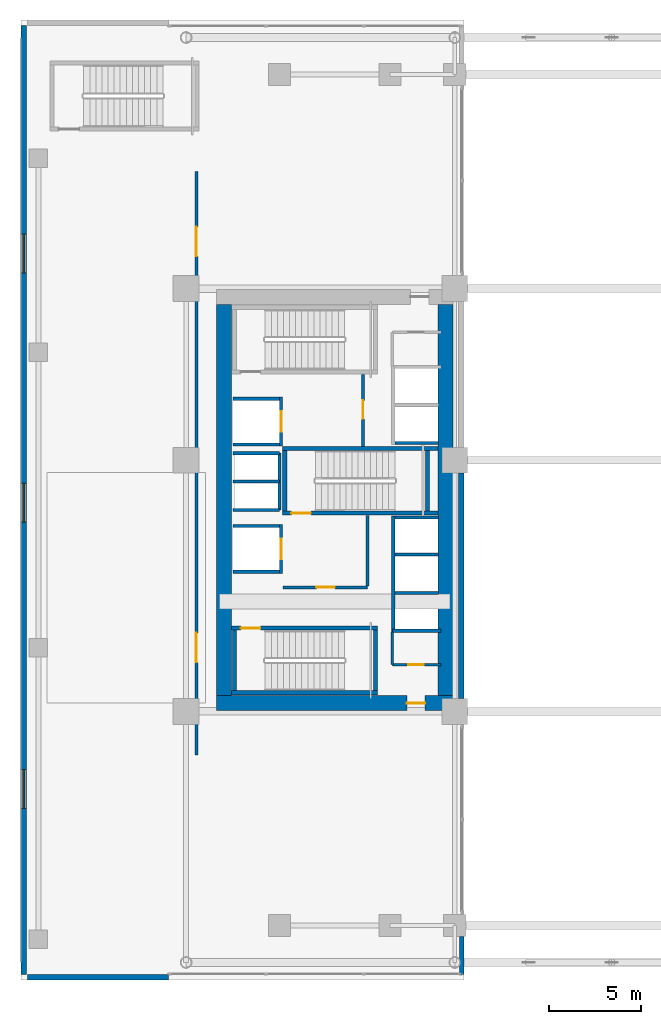
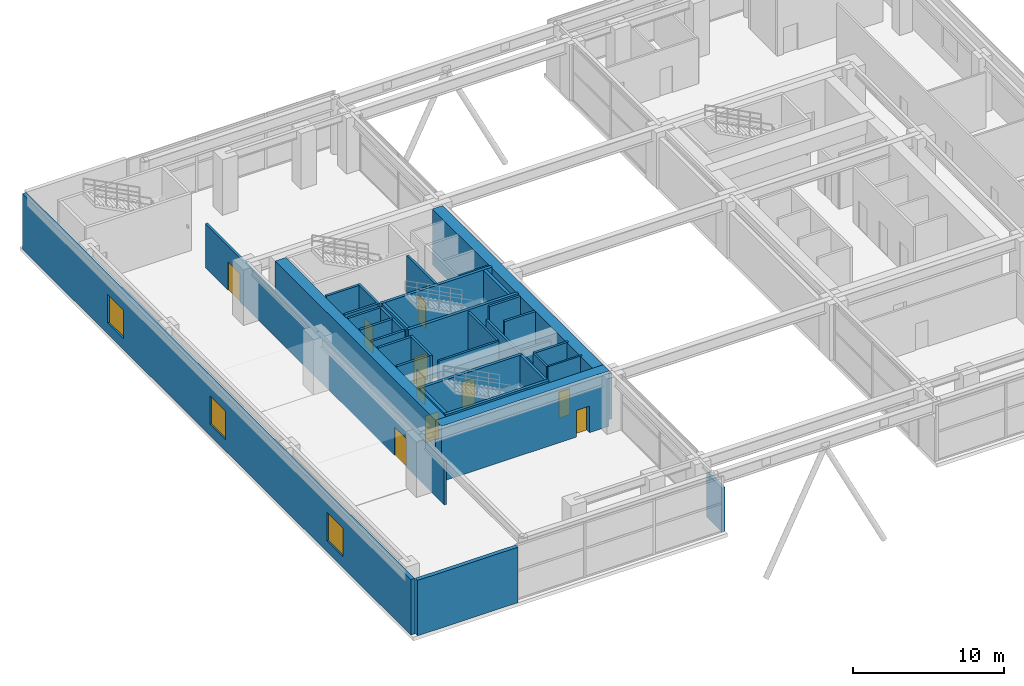
# One storey, part 22 of 30: 37 walls, 10 doors, 3 windows, 13 openings.
"""IFC4 building model written with IfcOpenShell, lengths in metres."""

from ifc_helpers import new_model, si_unit, direction, frame, frame_2d, origin, place, context, subcontext, project, spatial, rectangle, extrude, source, transform, mapped, material, layer, layer_set, type_object, element, fill, save


model = new_model("IFC4")

# Units and contexts
model_context = context("Model", 3, precision=1e-05, world=origin(), true_north=direction((0.0, 1.0)))
body_context = subcontext(model_context, "Body", "Model", "MODEL_VIEW")
ifc_project = project(units=[si_unit("LENGTHUNIT", "METRE"), si_unit("AREAUNIT", "SQUARE_METRE"), si_unit("VOLUMEUNIT", "CUBIC_METRE"), si_unit("PLANEANGLEUNIT", "RADIAN"), si_unit("MASSUNIT", "GRAM", prefix="KILO")], contexts=[model_context])

# Site, building, storey
site_placement = place(None, origin())
site = spatial("IfcSite", under=ifc_project, at=site_placement, CompositionType="ELEMENT")
building_placement = place(site_placement, origin())
building = spatial("IfcBuilding", under=site, at=building_placement, Name="Ocotamira Hotel", CompositionType="ELEMENT")
storey_placement = place(building_placement, frame((0.0, 0.0, 19.199951171875)))
storey = spatial("IfcBuildingStorey", under=building, at=storey_placement, Name="L04", CompositionType="ELEMENT", Elevation=19.199951171875)

# Wall, opening, door
ifc_material_1 = material(Name="Concrete C60/75", Category="concrete")
ifc_layer_1 = layer(ifc_material_1, 0.800048828125)
ifc_layer_set_1 = layer_set([ifc_layer_1], Name="Concrete C60/75")
wall_type_1 = type_object("IfcWallType", Name="WL-CORE-800", PredefinedType="SHEAR", material=ifc_layer_set_1)
wall_1_placement = place(storey_placement, frame((10.60009765625, 15.0, 0.0), z_axis=(0.0, 0.0, 1.0), x_axis=(1.0, 0.0, 0.0)))
wall_1 = element("IfcWall", 1, at=wall_1_placement, inside=storey, type_object=wall_type_1, Name="L04 Shear Core Wall WCORE-S", PredefinedType="SHEAR", context=body_context, shape_type="SweptSolid", body=[
    extrude(rectangle(XDim=12.7998046875, YDim=0.800048828125, at=frame_2d((6.39990234375, 0.0))), origin(), (0.0, 0.0, 1.0), 4.47998046875),
])
opening_1_placement = place(wall_1_placement, frame((10.300048828125, 0.0, 0.0)))
opening_1 = element("IfcOpeningElement", 2, at=opening_1_placement, cuts=wall_1, Name="Opening D-FR2", PredefinedType="OPENING", context=body_context, shape_type="SweptSolid", body=[
    extrude(rectangle(XDim=1.0, YDim=2.14990234375, at=frame_2d((0.5, 1.074951171875))), frame((0.0, 0.41015625, 0.0), z_axis=(0.0, -1.0, 0.0), x_axis=(1.0, 0.0, 0.0)), (0.0, 0.0, 1.0), 0.820068359375),
])
ifc_material_2 = material(Name="Fire-rated acoustic timber-veneer door", Category="wood")
door_type_1 = type_object("IfcDoorType", Name="DR-FIRE-1000", OperationType="NOTDEFINED", PredefinedType="DOOR", material=ifc_material_2)
shared_shape_1 = source(origin(), body_context, "Body", "SweptSolid", [
    extrude(rectangle(XDim=1.0, YDim=2.14990234375, at=frame_2d((0.5, 1.074951171875))), frame((0.0, 0.02490234375, 0.0), z_axis=(0.0, -1.0, 0.0), x_axis=(1.0, 0.0, 0.0)), (0.0, 0.0, 1.0), 0.050048828125),
])
door_1_placement = place(opening_1_placement, origin())
door_1 = element("IfcDoor", 3, at=door_1_placement, inside=storey, type_object=door_type_1, Name="L04 Door ID-L04-WLOB-S-D [ID-L04-WLOB-S-D]", OperationType="SINGLE_SWING_LEFT", OverallHeight=2.14990234375, OverallWidth=1.0, PredefinedType="DOOR", context=body_context, shape_type="MappedRepresentation", body=[
    mapped(shared_shape_1, transform((0.0, 0.0, 0.0), scale=1.0)),
])
fill(opening_1, door_1)

# Walls
for number, where, z_axis, x_axis, name in (
    (4, (11.0, 15.39990234375, 0.0), (0.0, 0.0, 1.0), (0.0, 1.0, 0.0), "L04 Shear Core Wall WCORE-W"),
    (5, (23.0, 15.39990234375, 0.0), (0.0, 0.0, 1.0), (0.0, 1.0, 0.0), "L04 Shear Core Wall WCORE-E"),
):
    element("IfcWall", number, at=place(storey_placement, frame(where, z_axis=z_axis, x_axis=x_axis)), inside=storey, type_object=wall_type_1, Name=name, PredefinedType="SHEAR", context=body_context, shape_type="SweptSolid", body=[
        extrude(rectangle(XDim=21.2001953125, YDim=0.800048828125, at=frame_2d((10.60009765625, 0.0))), origin(), (0.0, 0.0, 1.0), 4.47998046875),
    ])

# Wall, openings, windows
ifc_material_3 = material(Name="Travertine-clad precast concrete C45/55", Category="masonry")
ifc_layer_2 = layer(ifc_material_3, 0.300048828125)
ifc_layer_set_2 = layer_set([ifc_layer_2], Name="Travertine-clad precast concrete C45/55")
wall_type_2 = type_object("IfcWallType", Name="WL-EXT-POD-300", PredefinedType="SOLIDWALL", material=ifc_layer_set_2)
wall_2_placement = place(storey_placement, frame((0.14990234375, 0.300048828125, 0.0), z_axis=(0.0, 0.0, 1.0), x_axis=(0.0, 1.0, 0.0)))
wall_2 = element("IfcWall", 6, at=wall_2_placement, inside=storey, type_object=wall_type_2, Name="L04 West Podium Travertine Wall", PredefinedType="SOLIDWALL", context=body_context, shape_type="SweptSolid", body=[
    extrude(rectangle(XDim=51.39990234375, YDim=0.300048828125, at=frame_2d((25.699951171875, 0.0))), origin(), (0.0, 0.0, 1.0), 4.47998046875),
])
opening_2_placement = place(wall_2_placement, frame((9.0, 0.0, 0.89990234375)))
opening_2 = element("IfcOpeningElement", 7, at=opening_2_placement, cuts=wall_2, Name="Opening WN-5", PredefinedType="OPENING", context=body_context, shape_type="SweptSolid", body=[
    extrude(rectangle(XDim=2.10009765625, YDim=2.300048828125, at=frame_2d((1.050048828125, 1.14990234375))), frame((0.0, 0.16015625, 0.0), z_axis=(0.0, -1.0, 0.0), x_axis=(1.0, 0.0, 0.0)), (0.0, 0.0, 1.0), 0.320068359375),
])
opening_3_placement = place(wall_2_placement, frame((24.5, 0.0, 0.89990234375)))
opening_3 = element("IfcOpeningElement", 8, at=opening_3_placement, cuts=wall_2, Name="Opening WN-5", PredefinedType="OPENING", context=body_context, shape_type="SweptSolid", body=[
    extrude(rectangle(XDim=2.10009765625, YDim=2.300048828125, at=frame_2d((1.050048828125, 1.14990234375))), frame((0.0, 0.16015625, 0.0), z_axis=(0.0, -1.0, 0.0), x_axis=(1.0, 0.0, 0.0)), (0.0, 0.0, 1.0), 0.320068359375),
])
opening_4_placement = place(wall_2_placement, frame((38.0, 0.0, 0.89990234375)))
opening_4 = element("IfcOpeningElement", 9, at=opening_4_placement, cuts=wall_2, Name="Opening WN-5", PredefinedType="OPENING", context=body_context, shape_type="SweptSolid", body=[
    extrude(rectangle(XDim=2.10009765625, YDim=2.300048828125, at=frame_2d((1.050048828125, 1.14990234375))), frame((0.0, 0.16015625, 0.0), z_axis=(0.0, -1.0, 0.0), x_axis=(1.0, 0.0, 0.0)), (0.0, 0.0, 1.0), 0.320068359375),
])
ifc_material_4 = material(Name="Double-silver low-E solar glass", Category="glass")
window_type = type_object("IfcWindowType", Name="WIN-POD-2100", PartitioningType="SINGLE_PANEL", PredefinedType="WINDOW", material=ifc_material_4)
shared_shape_2 = source(origin(), body_context, "Body", "SweptSolid", [
    extrude(rectangle(XDim=2.10009765625, YDim=2.300048828125, at=frame_2d((1.050048828125, 1.14990234375))), frame((0.0, 0.030029296875, 0.0), z_axis=(0.0, -1.0, 0.0), x_axis=(1.0, 0.0, 0.0)), (0.0, 0.0, 1.0), 0.06005859375),
])
window_1_placement = place(opening_2_placement, origin())
window_1 = element("IfcWindow", 10, at=window_1_placement, inside=storey, type_object=window_type, Name="L04 West Podium Window 1", OverallHeight=2.300048828125, OverallWidth=2.10009765625, PartitioningType="SINGLE_PANEL", PredefinedType="WINDOW", context=body_context, shape_type="MappedRepresentation", body=[
    mapped(shared_shape_2, transform((0.0, 0.0, 0.0), scale=1.0)),
])
fill(opening_2, window_1)
window_2_placement = place(opening_3_placement, origin())
window_2 = element("IfcWindow", 11, at=window_2_placement, inside=storey, type_object=window_type, Name="L04 West Podium Window 2", OverallHeight=2.300048828125, OverallWidth=2.10009765625, PartitioningType="SINGLE_PANEL", PredefinedType="WINDOW", context=body_context, shape_type="MappedRepresentation", body=[
    mapped(shared_shape_2, transform((0.0, 0.0, 0.0), scale=1.0)),
])
fill(opening_3, window_2)
window_3_placement = place(opening_4_placement, origin())
window_3 = element("IfcWindow", 12, at=window_3_placement, inside=storey, type_object=window_type, Name="L04 West Podium Window 3", OverallHeight=2.300048828125, OverallWidth=2.10009765625, PartitioningType="SINGLE_PANEL", PredefinedType="WINDOW", context=body_context, shape_type="MappedRepresentation", body=[
    mapped(shared_shape_2, transform((0.0, 0.0, 0.0), scale=1.0)),
])
fill(opening_4, window_3)

# Walls
wall_3_placement = place(storey_placement, frame((8.0, 0.14990234375, 0.0), z_axis=(0.0, 0.0, 1.0), x_axis=(-1.0, 0.0, 0.0)))
element("IfcWall", 13, at=wall_3_placement, inside=storey, type_object=wall_type_2, Name="L04 S-West Podium Wall", PredefinedType="SOLIDWALL", context=body_context, shape_type="SweptSolid", body=[
    extrude(rectangle(XDim=7.64990234375, YDim=0.300048828125, at=frame_2d((3.824951171875, 0.0))), origin(), (0.0, 0.0, 1.0), 4.47998046875),
])
wall_4_placement = place(storey_placement, frame((23.8798828125, 0.300048828125, 0.0), z_axis=(0.0, 0.0, 1.0), x_axis=(0.0, 1.0, 0.0)))
element("IfcWall", 14, at=wall_4_placement, inside=storey, type_object=wall_type_2, Name="L04 Giant Arch South Corner Cheek Wall AW", PredefinedType="SOLIDWALL", context=body_context, shape_type="SweptSolid", body=[
    extrude(rectangle(XDim=2.050048828125, YDim=0.239990234375, at=frame_2d((1.02490234375, 0.0))), origin(), (0.0, 0.0, 1.0), 3.531982421875),
])
wall_5_placement = place(storey_placement, frame((23.85009765625, 15.25, 0.0), z_axis=(0.0, 0.0, 1.0), x_axis=(0.0, 1.0, 0.0)))
element("IfcWall", 15, at=wall_5_placement, inside=storey, type_object=wall_type_2, Name="L04 Giant Arch Core Cheek Wall AW-1", PredefinedType="SOLIDWALL", context=body_context, shape_type="SweptSolid", body=[
    extrude(rectangle(XDim=12.199951171875, YDim=0.300048828125, at=frame_2d((6.10009765625, 0.0))), origin(), (0.0, 0.0, 1.0), 3.700927734375),
])

# Wall, opening, door
ifc_material_5 = material(Name="Acoustic double-layer fire gypsum board partition", Category="gypsum")
ifc_layer_3 = layer(ifc_material_5, 0.159912109375)
ifc_layer_set_3 = layer_set([ifc_layer_3], Name="Acoustic double-layer fire gypsum board partition")
wall_type_3 = type_object("IfcWallType", Name="WL-FIRE-160", PredefinedType="PARTITIONING", material=ifc_layer_set_3)
wall_6_placement = place(storey_placement, frame((14.199951171875, 21.27001953125, 0.0), z_axis=(0.0, 0.0, 1.0), x_axis=(1.0, 0.0, 0.0)))
wall_6 = element("IfcWall", 16, at=wall_6_placement, inside=storey, type_object=wall_type_3, Name="L04 Interior Wall PW-L04-FSAE1-S", PredefinedType="PARTITIONING", context=body_context, shape_type="SweptSolid", body=[
    extrude(rectangle(XDim=4.580078125, YDim=0.159912109375, at=frame_2d((2.2900390625, 0.0))), origin(), (0.0, 0.0, 1.0), 4.47998046875),
])
opening_5_placement = place(wall_6_placement, frame((1.800048828125, 0.0, 0.0)))
opening_5 = element("IfcOpeningElement", 17, at=opening_5_placement, cuts=wall_6, Name="Opening D-FR2", PredefinedType="OPENING", context=body_context, shape_type="SweptSolid", body=[
    extrude(rectangle(XDim=1.0, YDim=2.14990234375, at=frame_2d((0.5, 1.074951171875))), frame((0.0, 0.08984375, 0.0), z_axis=(0.0, -1.0, 0.0), x_axis=(1.0, 0.0, 0.0)), (0.0, 0.0, 1.0), 0.179931640625),
])
door_2_placement = place(opening_5_placement, origin())
door_2 = element("IfcDoor", 18, at=door_2_placement, inside=storey, type_object=door_type_1, Name="L04 Door ID-L04-FSAE1-D [ID-L04-FSAE1-D]", OperationType="SINGLE_SWING_LEFT", OverallHeight=2.14990234375, OverallWidth=1.0, PredefinedType="DOOR", context=body_context, shape_type="MappedRepresentation", body=[
    mapped(shared_shape_1, transform((0.0, 0.0, 0.0), scale=1.0)),
])
fill(opening_5, door_2)

# Wall
wall_7_placement = place(storey_placement, frame((18.780029296875, 21.35009765625, 0.0), z_axis=(0.0, 0.0, 1.0), x_axis=(0.0, 1.0, 0.0)))
element("IfcWall", 19, at=wall_7_placement, inside=storey, type_object=wall_type_3, Name="L04 Interior Wall PW-L04-FSAE1-E", PredefinedType="PARTITIONING", context=body_context, shape_type="SweptSolid", body=[
    extrude(rectangle(XDim=3.809814453125, YDim=0.159912109375, at=frame_2d((1.90478515625, 0.0))), origin(), (0.0, 0.0, 1.0), 4.47998046875),
])

# Wall, opening, door
wall_8_placement = place(storey_placement, frame((18.530029296875, 28.89990234375, 0.0), z_axis=(0.0, 0.0, 1.0), x_axis=(0.0, 1.0, 0.0)))
wall_8 = element("IfcWall", 20, at=wall_8_placement, inside=storey, type_object=wall_type_3, Name="L04 Interior Wall PW-L04-FSAE2-E", PredefinedType="PARTITIONING", context=body_context, shape_type="SweptSolid", body=[
    extrude(rectangle(XDim=3.900146484375, YDim=0.159912109375, at=frame_2d((1.9501953125, 0.0))), origin(), (0.0, 0.0, 1.0), 4.47998046875),
])
opening_6_placement = place(wall_8_placement, frame((1.5, 0.0, 0.0)))
opening_6 = element("IfcOpeningElement", 21, at=opening_6_placement, cuts=wall_8, Name="Opening D-FR2", PredefinedType="OPENING", context=body_context, shape_type="SweptSolid", body=[
    extrude(rectangle(XDim=1.0, YDim=2.14990234375, at=frame_2d((0.5, 1.074951171875))), frame((0.0, 0.08984375, 0.0), z_axis=(0.0, -1.0, 0.0), x_axis=(1.0, 0.0, 0.0)), (0.0, 0.0, 1.0), 0.179931640625),
])
door_3_placement = place(opening_6_placement, origin())
door_3 = element("IfcDoor", 22, at=door_3_placement, inside=storey, type_object=door_type_1, Name="L04 Door ID-L04-FSAE2-D [ID-L04-FSAE2-D]", OperationType="SINGLE_SWING_RIGHT", OverallHeight=2.14990234375, OverallWidth=1.0, PredefinedType="DOOR", context=body_context, shape_type="MappedRepresentation", body=[
    mapped(shared_shape_1, transform((0.0, 0.0, 0.0), scale=1.0)),
])
fill(opening_6, door_3)

# Wall, openings, doors
wall_9_placement = place(storey_placement, frame((9.5, 12.199951171875, 0.0), z_axis=(0.0, 0.0, 1.0), x_axis=(0.0, 1.0, 0.0)))
wall_9 = element("IfcWall", 23, at=wall_9_placement, inside=storey, type_object=wall_type_3, Name="L04 Interior Wall PW-L04-L04-BALL-E", PredefinedType="PARTITIONING", context=body_context, shape_type="SweptSolid", body=[
    extrude(rectangle(XDim=31.60009765625, YDim=0.159912109375, at=frame_2d((15.800048828125, 0.0))), origin(), (0.0, 0.0, 1.0), 3.552978515625),
])
opening_7_placement = place(wall_9_placement, frame((5.0, 0.0, 0.0)))
opening_7 = element("IfcOpeningElement", 24, at=opening_7_placement, cuts=wall_9, Name="Opening D-DB1", PredefinedType="OPENING", context=body_context, shape_type="SweptSolid", body=[
    extrude(rectangle(XDim=1.60009765625, YDim=2.300048828125, at=frame_2d((0.800048828125, 1.14990234375))), frame((0.0, 0.08984375, 0.0), z_axis=(0.0, -1.0, 0.0), x_axis=(1.0, 0.0, 0.0)), (0.0, 0.0, 1.0), 0.179931640625),
])
opening_8_placement = place(wall_9_placement, frame((27.0, 0.0, 0.0)))
opening_8 = element("IfcOpeningElement", 25, at=opening_8_placement, cuts=wall_9, Name="Opening D-DB1", PredefinedType="OPENING", context=body_context, shape_type="SweptSolid", body=[
    extrude(rectangle(XDim=1.60009765625, YDim=2.300048828125, at=frame_2d((0.800048828125, 1.14990234375))), frame((0.0, 0.08984375, 0.0), z_axis=(0.0, -1.0, 0.0), x_axis=(1.0, 0.0, 0.0)), (0.0, 0.0, 1.0), 0.179931640625),
])
ifc_material_6 = material(Name="Double-leaf ballroom acoustic timber door", Category="wood")
door_type_2 = type_object("IfcDoorType", Name="DR-DBL-1600", OperationType="NOTDEFINED", PredefinedType="DOOR", material=ifc_material_6)
shared_shape_3 = source(origin(), body_context, "Body", "SweptSolid", [
    extrude(rectangle(XDim=1.60009765625, YDim=2.300048828125, at=frame_2d((0.800048828125, 1.14990234375))), frame((0.0, 0.02490234375, 0.0), z_axis=(0.0, -1.0, 0.0), x_axis=(1.0, 0.0, 0.0)), (0.0, 0.0, 1.0), 0.050048828125),
])
door_4_placement = place(opening_7_placement, origin())
door_4 = element("IfcDoor", 26, at=door_4_placement, inside=storey, type_object=door_type_2, Name="L04 Door ID-L04-L04-BALL-D1 [ID-L04-L04-BALL-D1]", OperationType="DOUBLE_DOOR_SINGLE_SWING", OverallHeight=2.300048828125, OverallWidth=1.60009765625, PredefinedType="DOOR", context=body_context, shape_type="MappedRepresentation", body=[
    mapped(shared_shape_3, transform((0.0, 0.0, 0.0), scale=1.0)),
])
fill(opening_7, door_4)
door_5_placement = place(opening_8_placement, origin())
door_5 = element("IfcDoor", 27, at=door_5_placement, inside=storey, type_object=door_type_2, Name="L04 Door ID-L04-L04-BALL-D2 [ID-L04-L04-BALL-D2]", OperationType="DOUBLE_DOOR_SINGLE_SWING", OverallHeight=2.300048828125, OverallWidth=1.60009765625, PredefinedType="DOOR", context=body_context, shape_type="MappedRepresentation", body=[
    mapped(shared_shape_3, transform((0.0, 0.0, 0.0), scale=1.0)),
])
fill(opening_8, door_5)

# Wall
ifc_material_7 = material(Name="Acoustic hospitality gypsum board partition", Category="gypsum")
ifc_layer_4 = layer(ifc_material_7, 0.14208984375)
ifc_layer_set_4 = layer_set([ifc_layer_4], Name="Acoustic hospitality gypsum board partition")
wall_type_4 = type_object("IfcWallType", Name="WL-PART-142", PredefinedType="PARTITIONING", material=ifc_layer_set_4)
wall_10_placement = place(storey_placement, frame((20.1201171875, 17.080078125, 0.0), z_axis=(0.0, 0.0, 1.0), x_axis=(0.0, 1.0, 0.0)))
element("IfcWall", 28, at=wall_10_placement, inside=storey, type_object=wall_type_4, Name="L04 Interior Wall PW-L04-WC-SE-W2", PredefinedType="PARTITIONING", context=body_context, shape_type="SweptSolid", body=[
    extrude(rectangle(XDim=1.760009765625, YDim=0.14208984375, at=frame_2d((0.8798828125, 0.0))), origin(), (0.0, 0.0, 1.0), 4.47998046875),
])

# Wall, opening, door
wall_11_placement = place(storey_placement, frame((20.1201171875, 17.080078125, 0.0), z_axis=(0.0, 0.0, 1.0), x_axis=(1.0, 0.0, 0.0)))
wall_11 = element("IfcWall", 29, at=wall_11_placement, inside=storey, type_object=wall_type_4, Name="L04 Interior Wall PW-L04-WC-SE-S2", PredefinedType="PARTITIONING", context=body_context, shape_type="SweptSolid", body=[
    extrude(rectangle(XDim=2.6298828125, YDim=0.14208984375, at=frame_2d((1.31494140625, 0.0))), origin(), (0.0, 0.0, 1.0), 4.47998046875),
])
opening_9_placement = place(wall_11_placement, frame((0.85009765625, 0.0, 0.0)))
opening_9 = element("IfcOpeningElement", 30, at=opening_9_placement, cuts=wall_11, Name="Opening D-SV1", PredefinedType="OPENING", context=body_context, shape_type="SweptSolid", body=[
    extrude(rectangle(XDim=0.840087890625, YDim=2.10009765625, at=frame_2d((0.419921875, 1.050048828125))), frame((0.0, 0.0810546875, 0.0), z_axis=(0.0, -1.0, 0.0), x_axis=(1.0, 0.0, 0.0)), (0.0, 0.0, 1.0), 0.162109375),
])
ifc_material_8 = material(Name="Fire-rated painted steel service door", Category="steel")
door_type_3 = type_object("IfcDoorType", Name="DR-SERV-840", OperationType="NOTDEFINED", PredefinedType="DOOR", material=ifc_material_8)
shared_shape_4 = source(origin(), body_context, "Body", "SweptSolid", [
    extrude(rectangle(XDim=0.840087890625, YDim=2.10009765625, at=frame_2d((0.419921875, 1.050048828125))), frame((0.0, 0.02490234375, 0.0), z_axis=(0.0, -1.0, 0.0), x_axis=(1.0, 0.0, 0.0)), (0.0, 0.0, 1.0), 0.050048828125),
])
door_6_placement = place(opening_9_placement, origin())
door_6 = element("IfcDoor", 31, at=door_6_placement, inside=storey, type_object=door_type_3, Name="L04 Door ID-L04-WC-SE-D2 [ID-L04-WC-SE-D2]", OperationType="SINGLE_SWING_LEFT", OverallHeight=2.10009765625, OverallWidth=0.840087890625, PredefinedType="DOOR", context=body_context, shape_type="MappedRepresentation", body=[
    mapped(shared_shape_4, transform((0.0, 0.0, 0.0), scale=1.0)),
])
fill(opening_9, door_6)

# Walls
ifc_material_9 = material(Name="Fire-rated gypsum shaftliner board assembly", Category="gypsum")
ifc_layer_5 = layer(ifc_material_9, 0.179931640625)
ifc_layer_set_5 = layer_set([ifc_layer_5], Name="Fire-rated gypsum shaftliner board assembly")
wall_type_5 = type_object("IfcWallType", Name="WL-SHAFT-180", PredefinedType="SOLIDWALL", material=ifc_layer_set_5)
wall_12_placement = place(storey_placement, frame((20.159912109375, 18.820068359375, 0.0), z_axis=(0.0, 0.0, 1.0), x_axis=(0.0, 1.0, 0.0)))
element("IfcWall", 32, at=wall_12_placement, inside=storey, type_object=wall_type_5, Name="L04 Interior Wall PW-L04-LFW-BANK-high-F", PredefinedType="SOLIDWALL", context=body_context, shape_type="SweptSolid", body=[
    extrude(rectangle(XDim=6.31982421875, YDim=0.179931640625, at=frame_2d((3.159912109375, 0.0))), origin(), (0.0, 0.0, 1.0), 3.380126953125),
])
wall_13_placement = place(storey_placement, frame((20.1201171875, 18.909912109375, 0.0), z_axis=(0.0, 0.0, 1.0), x_axis=(1.0, 0.0, 0.0)))
element("IfcWall", 33, at=wall_13_placement, inside=storey, type_object=wall_type_5, Name="L04 Interior Wall PW-L04-LFW-BANK-high-S", PredefinedType="SOLIDWALL", context=body_context, shape_type="SweptSolid", body=[
    extrude(rectangle(XDim=2.6298828125, YDim=0.179931640625, at=frame_2d((1.31494140625, 0.0))), origin(), (0.0, 0.0, 1.0), 4.47998046875),
])
wall_14_placement = place(storey_placement, frame((20.25, 25.050048828125, 0.0), z_axis=(0.0, 0.0, 1.0), x_axis=(1.0, 0.0, 0.0)))
element("IfcWall", 34, at=wall_14_placement, inside=storey, type_object=wall_type_5, Name="L04 Interior Wall PW-L04-LFW-BANK-high-N", PredefinedType="SOLIDWALL", context=body_context, shape_type="SweptSolid", body=[
    extrude(rectangle(XDim=2.360107421875, YDim=0.179931640625, at=frame_2d((1.18017578125, 0.0))), origin(), (0.0, 0.0, 1.0), 4.47998046875),
])
wall_15_placement = place(storey_placement, frame((20.25, 20.965087890625, 0.0), z_axis=(0.0, 0.0, 1.0), x_axis=(1.0, 0.0, 0.0)))
element("IfcWall", 35, at=wall_15_placement, inside=storey, type_object=wall_type_5, Name="L04 Interior Wall PW-L04-LFW-DIV-LF-P7", PredefinedType="SOLIDWALL", context=body_context, shape_type="SweptSolid", body=[
    extrude(rectangle(XDim=2.360107421875, YDim=0.179931640625, at=frame_2d((1.18017578125, 0.0))), origin(), (0.0, 0.0, 1.0), 3.380126953125),
])
for number, where, z_axis, x_axis, name in (
    (36, (20.25, 23.044921875, 0.0), (0.0, 0.0, 1.0), (1.0, 0.0, 0.0), "L04 Interior Wall PW-L04-LFW-DIV-LF-P8"),
    (37, (20.25, 29.090087890625, 0.0), (0.0, 0.0, 1.0), (1.0, 0.0, 0.0), "L04 Interior Wall PW-L04-LFW-BANK-obs-S"),
):
    element("IfcWall", number, at=place(storey_placement, frame(where, z_axis=z_axis, x_axis=x_axis)), inside=storey, type_object=wall_type_5, Name=name, PredefinedType="SOLIDWALL", context=body_context, shape_type="SweptSolid", body=[
        extrude(rectangle(XDim=2.360107421875, YDim=0.179931640625, at=frame_2d((1.18017578125, 0.0))), origin(), (0.0, 0.0, 1.0), 4.47998046875),
    ])
for number, where, z_axis, x_axis, name in (
    (38, (11.5, 22.110107421875, 0.0), (0.0, 0.0, 1.0), (1.0, 0.0, 0.0), "L04 Interior Wall PW-L04-LFW-LF-FSAE1-S"),
    (39, (11.5, 24.590087890625, 0.0), (0.0, 0.0, 1.0), (1.0, 0.0, 0.0), "L04 Interior Wall PW-L04-LFW-LF-FSAE1-N"),
):
    element("IfcWall", number, at=place(storey_placement, frame(where, z_axis=z_axis, x_axis=x_axis)), inside=storey, type_object=wall_type_5, Name=name, PredefinedType="SOLIDWALL", context=body_context, shape_type="SweptSolid", body=[
        extrude(rectangle(XDim=2.5, YDim=0.179931640625, at=frame_2d((1.25, 0.0))), origin(), (0.0, 0.0, 1.0), 4.47998046875),
    ])

# Wall, opening, door
wall_16_placement = place(storey_placement, frame((14.090087890625, 22.02001953125, 0.0), z_axis=(0.0, 0.0, 1.0), x_axis=(0.0, 1.0, 0.0)))
wall_16 = element("IfcWall", 40, at=wall_16_placement, inside=storey, type_object=wall_type_5, Name="L04 Interior Wall PW-L04-LFW-LF-FSAE1-E", PredefinedType="SOLIDWALL", context=body_context, shape_type="SweptSolid", body=[
    extrude(rectangle(XDim=2.659912109375, YDim=0.179931640625, at=frame_2d((1.330078125, 0.0))), origin(), (0.0, 0.0, 1.0), 4.47998046875),
])
opening_10_placement = place(wall_16_placement, frame((0.780029296875, 0.0, 0.0)))
opening_10 = element("IfcOpeningElement", 41, at=opening_10_placement, cuts=wall_16, Name="Opening LD-LF-FSAE1", PredefinedType="OPENING", context=body_context, shape_type="SweptSolid", body=[
    extrude(rectangle(XDim=1.10009765625, YDim=2.199951171875, at=frame_2d((0.550048828125, 1.10009765625))), frame((0.0, 0.10009765625, 0.0), z_axis=(0.0, -1.0, 0.0), x_axis=(1.0, 0.0, 0.0)), (0.0, 0.0, 1.0), 0.199951171875),
])
ifc_material_10 = material(Name="Brushed pale-metal stainless elevator landing door", Category="steel")
door_type_4 = type_object("IfcDoorType", Name="DR-LIFT-1100", OperationType="NOTDEFINED", PredefinedType="DOOR", material=ifc_material_10)
shared_shape_5 = source(origin(), body_context, "Body", "SweptSolid", [
    extrude(rectangle(XDim=1.10009765625, YDim=2.199951171875, at=frame_2d((0.550048828125, 1.10009765625))), frame((0.0, 0.02490234375, 0.0), z_axis=(0.0, -1.0, 0.0), x_axis=(1.0, 0.0, 0.0)), (0.0, 0.0, 1.0), 0.050048828125),
])
door_7_placement = place(opening_10_placement, origin())
door_7 = element("IfcDoor", 42, at=door_7_placement, inside=storey, type_object=door_type_4, Name="L04 Landing Door LD-LF-FSAE1 [ID-L04-LD-LF-FSAE1]", OperationType="DOUBLE_DOOR_SLIDING", OverallHeight=2.199951171875, OverallWidth=1.10009765625, PredefinedType="DOOR", context=body_context, shape_type="MappedRepresentation", body=[
    mapped(shared_shape_5, transform((0.0, 0.0, 0.0), scale=1.0)),
])
fill(opening_10, door_7)

# Walls
for number, where, z_axis, x_axis, name in (
    (43, (11.5, 29.010009765625, 0.0), (0.0, 0.0, 1.0), (1.0, 0.0, 0.0), "L04 Interior Wall PW-L04-LFW-LF-FSAE2-S"),
    (44, (11.5, 31.489990234375, 0.0), (0.0, 0.0, 1.0), (1.0, 0.0, 0.0), "L04 Interior Wall PW-L04-LFW-LF-FSAE2-N"),
):
    element("IfcWall", number, at=place(storey_placement, frame(where, z_axis=z_axis, x_axis=x_axis)), inside=storey, type_object=wall_type_5, Name=name, PredefinedType="SOLIDWALL", context=body_context, shape_type="SweptSolid", body=[
        extrude(rectangle(XDim=2.5, YDim=0.179931640625, at=frame_2d((1.25, 0.0))), origin(), (0.0, 0.0, 1.0), 4.47998046875),
    ])

# Wall, opening, door
wall_17_placement = place(storey_placement, frame((14.090087890625, 28.919921875, 0.0), z_axis=(0.0, 0.0, 1.0), x_axis=(0.0, 1.0, 0.0)))
wall_17 = element("IfcWall", 45, at=wall_17_placement, inside=storey, type_object=wall_type_5, Name="L04 Interior Wall PW-L04-LFW-LF-FSAE2-E", PredefinedType="SOLIDWALL", context=body_context, shape_type="SweptSolid", body=[
    extrude(rectangle(XDim=2.66015625, YDim=0.179931640625, at=frame_2d((1.330078125, 0.0))), origin(), (0.0, 0.0, 1.0), 4.47998046875),
])
opening_11_placement = place(wall_17_placement, frame((0.780029296875, 0.0, 0.0)))
opening_11 = element("IfcOpeningElement", 46, at=opening_11_placement, cuts=wall_17, Name="Opening LD-LF-FSAE2", PredefinedType="OPENING", context=body_context, shape_type="SweptSolid", body=[
    extrude(rectangle(XDim=1.10009765625, YDim=2.199951171875, at=frame_2d((0.550048828125, 1.10009765625))), frame((0.0, 0.10009765625, 0.0), z_axis=(0.0, -1.0, 0.0), x_axis=(1.0, 0.0, 0.0)), (0.0, 0.0, 1.0), 0.199951171875),
])
door_8_placement = place(opening_11_placement, origin())
door_8 = element("IfcDoor", 47, at=door_8_placement, inside=storey, type_object=door_type_4, Name="L04 Landing Door LD-LF-FSAE2 [ID-L04-LD-LF-FSAE2]", OperationType="DOUBLE_DOOR_SLIDING", OverallHeight=2.199951171875, OverallWidth=1.10009765625, PredefinedType="DOOR", context=body_context, shape_type="MappedRepresentation", body=[
    mapped(shared_shape_5, transform((0.0, 0.0, 0.0), scale=1.0)),
])
fill(opening_11, door_8)

# Walls
for number, where, z_axis, x_axis, name in (
    (48, (11.5, 25.4599609375, 0.0), (0.0, 0.0, 1.0), (1.0, 0.0, 0.0), "L04 Interior Wall PW-L04-RSW-S"),
    (49, (11.5, 27.0, 0.0), (0.0, 0.0, 1.0), (1.0, 0.0, 0.0), "L04 Interior Wall PW-L04-RSW-MID"),
    (50, (11.5, 28.5400390625, 0.0), (0.0, 0.0, 1.0), (1.0, 0.0, 0.0), "L04 Interior Wall PW-L04-RSW-N"),
):
    element("IfcWall", number, at=place(storey_placement, frame(where, z_axis=z_axis, x_axis=x_axis)), inside=storey, type_object=wall_type_5, Name=name, PredefinedType="SOLIDWALL", context=body_context, shape_type="SweptSolid", body=[
        extrude(rectangle(XDim=2.510009765625, YDim=0.179931640625, at=frame_2d((1.2548828125, 0.0))), origin(), (0.0, 0.0, 1.0), 4.47998046875),
    ])
wall_18_placement = place(storey_placement, frame((14.010009765625, 25.4599609375, 0.0), z_axis=(0.0, 0.0, 1.0), x_axis=(0.0, 1.0, 0.0)))
element("IfcWall", 51, at=wall_18_placement, inside=storey, type_object=wall_type_5, Name="L04 Interior Wall PW-L04-RSW-E", PredefinedType="SOLIDWALL", context=body_context, shape_type="SweptSolid", body=[
    extrude(rectangle(XDim=3.080078125, YDim=0.179931640625, at=frame_2d((1.5400390625, 0.0))), origin(), (0.0, 0.0, 1.0), 4.47998046875),
])
ifc_material_11 = material(Name="Concrete C50/60", Category="concrete")
ifc_layer_6 = layer(ifc_material_11, 0.219970703125)
ifc_layer_set_6 = layer_set([ifc_layer_6], Name="Concrete C50/60")
wall_type_6 = type_object("IfcWallType", Name="WL-STAIR-220", PredefinedType="SHEAR", material=ifc_layer_set_6)
wall_19_placement = place(storey_placement, frame((11.39990234375, 15.56005859375, 0.0), z_axis=(0.0, 0.0, 1.0), x_axis=(1.0, 0.0, 0.0)))
element("IfcWall", 52, at=wall_19_placement, inside=storey, type_object=wall_type_6, Name="L04 Stair Shaft Structural Wall ST-1-S", PredefinedType="SHEAR", context=body_context, shape_type="SweptSolid", body=[
    extrude(rectangle(XDim=7.91015625, YDim=0.219970703125, at=frame_2d((3.955078125, 0.0))), origin(), (0.0, 0.0, 1.0), 4.60009765625),
])

# Wall, opening, door
wall_20_placement = place(storey_placement, frame((11.39990234375, 19.06005859375, 0.0), z_axis=(0.0, 0.0, 1.0), x_axis=(1.0, 0.0, 0.0)))
wall_20 = element("IfcWall", 53, at=wall_20_placement, inside=storey, type_object=wall_type_6, Name="L04 Stair Shaft Structural Wall ST-1-N", PredefinedType="SHEAR", context=body_context, shape_type="SweptSolid", body=[
    extrude(rectangle(XDim=7.91015625, YDim=0.219970703125, at=frame_2d((3.955078125, 0.0))), origin(), (0.0, 0.0, 1.0), 4.60009765625),
])
opening_12_placement = place(wall_20_placement, frame((0.52001953125, 0.0, 0.0)))
opening_12 = element("IfcOpeningElement", 54, at=opening_12_placement, cuts=wall_20, Name="Opening D-ST2", PredefinedType="OPENING", context=body_context, shape_type="SweptSolid", body=[
    extrude(rectangle(XDim=1.050048828125, YDim=2.14990234375, at=frame_2d((0.52490234375, 1.074951171875))), frame((0.0, 0.1201171875, 0.0), z_axis=(0.0, -1.0, 0.0), x_axis=(1.0, 0.0, 0.0)), (0.0, 0.0, 1.0), 0.239990234375),
])
ifc_material_12 = material(Name="Insulated painted hollow-metal fire exit door", Category="steel")
door_type_5 = type_object("IfcDoorType", Name="DR-STAIR-1050", OperationType="NOTDEFINED", PredefinedType="DOOR", material=ifc_material_12)
shared_shape_6 = source(origin(), body_context, "Body", "SweptSolid", [
    extrude(rectangle(XDim=1.050048828125, YDim=2.14990234375, at=frame_2d((0.52490234375, 1.074951171875))), frame((0.0, 0.02490234375, 0.0), z_axis=(0.0, -1.0, 0.0), x_axis=(1.0, 0.0, 0.0)), (0.0, 0.0, 1.0), 0.050048828125),
])
door_9_placement = place(opening_12_placement, origin())
door_9 = element("IfcDoor", 55, at=door_9_placement, inside=storey, type_object=door_type_5, Name="L04 Door ID-L04-STD-ST-1 [ID-L04-STD-ST-1]", OperationType="SINGLE_SWING_LEFT", OverallHeight=2.14990234375, OverallWidth=1.050048828125, PredefinedType="DOOR", context=body_context, shape_type="MappedRepresentation", body=[
    mapped(shared_shape_6, transform((0.0, 0.0, 0.0), scale=1.0)),
])
fill(opening_12, door_9)

# Walls
for number, where, z_axis, x_axis, name in (
    (56, (11.56005859375, 15.669921875, 0.0), (0.0, 0.0, 1.0), (0.0, 1.0, 0.0), "L04 Stair Shaft Structural Wall ST-1-W"),
    (57, (19.199951171875, 15.669921875, 0.0), (0.0, 0.0, 1.0), (0.0, 1.0, 0.0), "L04 Stair Shaft Structural Wall ST-1-E"),
):
    element("IfcWall", number, at=place(storey_placement, frame(where, z_axis=z_axis, x_axis=x_axis)), inside=storey, type_object=wall_type_6, Name=name, PredefinedType="SHEAR", context=body_context, shape_type="SweptSolid", body=[
        extrude(rectangle(XDim=3.280029296875, YDim=0.219970703125, at=frame_2d((1.64013671875, 0.0))), origin(), (0.0, 0.0, 1.0), 4.60009765625),
    ])

# Wall, opening, door
wall_21_placement = place(storey_placement, frame((14.179931640625, 25.2900390625, 0.0), z_axis=(0.0, 0.0, 1.0), x_axis=(1.0, 0.0, 0.0)))
wall_21 = element("IfcWall", 58, at=wall_21_placement, inside=storey, type_object=wall_type_6, Name="L04 Stair Shaft Structural Wall ST-3-S", PredefinedType="SHEAR", context=body_context, shape_type="SweptSolid", body=[
    extrude(rectangle(XDim=8.420166015625, YDim=0.219970703125, at=frame_2d((4.2099609375, 0.0))), origin(), (0.0, 0.0, 1.0), 4.60009765625),
])
opening_13_placement = place(wall_21_placement, frame((0.469970703125, 0.0, 0.0)))
opening_13 = element("IfcOpeningElement", 59, at=opening_13_placement, cuts=wall_21, Name="Opening D-ST2", PredefinedType="OPENING", context=body_context, shape_type="SweptSolid", body=[
    extrude(rectangle(XDim=1.050048828125, YDim=2.14990234375, at=frame_2d((0.52490234375, 1.074951171875))), frame((0.0, 0.1201171875, 0.0), z_axis=(0.0, -1.0, 0.0), x_axis=(1.0, 0.0, 0.0)), (0.0, 0.0, 1.0), 0.239990234375),
])
door_10_placement = place(opening_13_placement, origin())
door_10 = element("IfcDoor", 60, at=door_10_placement, inside=storey, type_object=door_type_5, Name="L04 Door ID-L04-STD-ST-3 [ID-L04-STD-ST-3]", OperationType="SINGLE_SWING_LEFT", OverallHeight=2.14990234375, OverallWidth=1.050048828125, PredefinedType="DOOR", context=body_context, shape_type="MappedRepresentation", body=[
    mapped(shared_shape_6, transform((0.0, 0.0, 0.0), scale=1.0)),
])
fill(opening_13, door_10)

# Walls
wall_22_placement = place(storey_placement, frame((14.179931640625, 28.7900390625, 0.0), z_axis=(0.0, 0.0, 1.0), x_axis=(1.0, 0.0, 0.0)))
element("IfcWall", 61, at=wall_22_placement, inside=storey, type_object=wall_type_6, Name="L04 Stair Shaft Structural Wall ST-3-N", PredefinedType="SHEAR", context=body_context, shape_type="SweptSolid", body=[
    extrude(rectangle(XDim=8.420166015625, YDim=0.219970703125, at=frame_2d((4.2099609375, 0.0))), origin(), (0.0, 0.0, 1.0), 4.60009765625),
])
for number, where, z_axis, x_axis, name in (
    (62, (14.2900390625, 25.39990234375, 0.0), (0.0, 0.0, 1.0), (0.0, 1.0, 0.0), "L04 Stair Shaft Structural Wall ST-3-W"),
    (63, (22.030029296875, 25.39990234375, 0.0), (0.0, 0.0, 1.0), (0.0, 1.0, 0.0), "L04 Stair Shaft Structural Wall ST-3-E"),
):
    element("IfcWall", number, at=place(storey_placement, frame(where, z_axis=z_axis, x_axis=x_axis)), inside=storey, type_object=wall_type_6, Name=name, PredefinedType="SHEAR", context=body_context, shape_type="SweptSolid", body=[
        extrude(rectangle(XDim=3.280029296875, YDim=0.219970703125, at=frame_2d((1.64013671875, 0.0))), origin(), (0.0, 0.0, 1.0), 4.60009765625),
    ])

save(model, "model.ifc")
